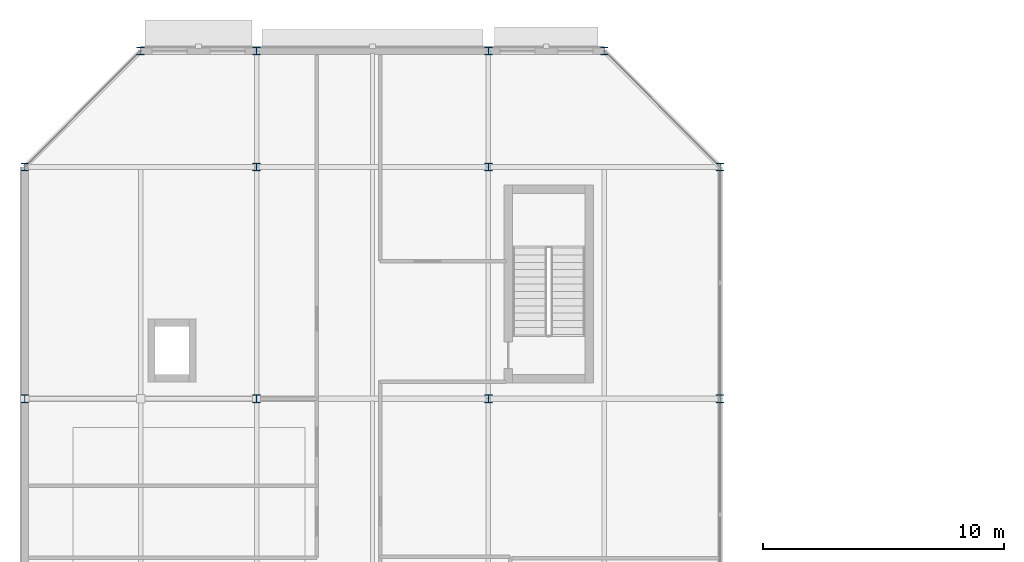
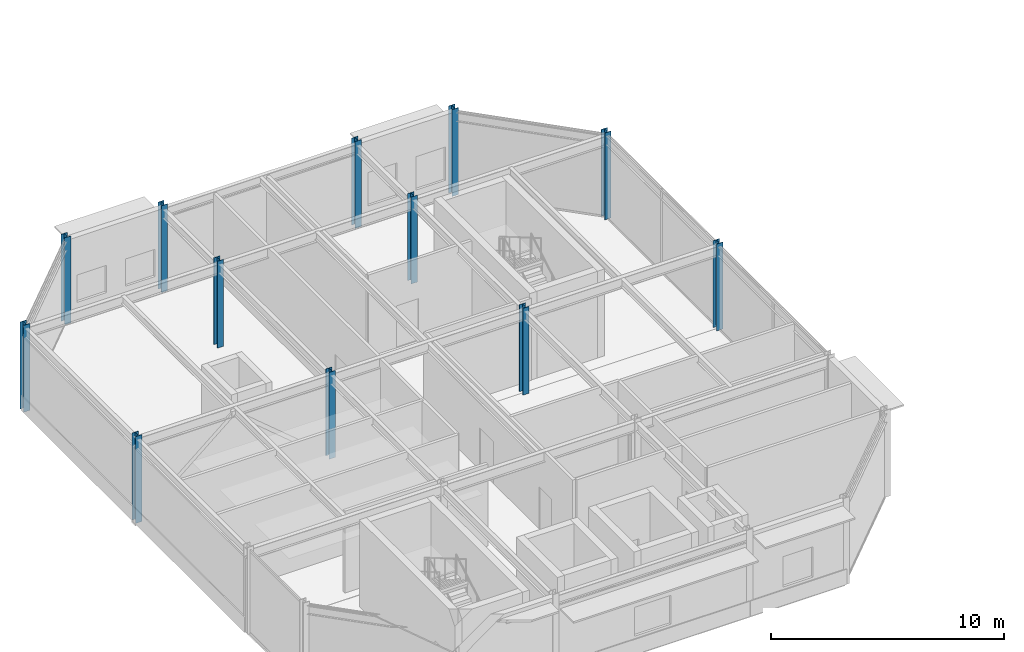
# One storey, part 7 of 89: 12 columns.
"""IFC4 building model written with IfcOpenShell, lengths in metres."""

from ifc_helpers import new_model, si_unit, direction, frame, origin, origin_2d, place, context, subcontext, project, spatial, i_section, extrude, material, material_profile, profile_set, type_object, element, save


model = new_model("IFC4")

# Units and contexts
model_context = context("Model", 3, precision=1e-05, world=origin(), true_north=direction((0.0, 1.0)))
body_context = subcontext(model_context, "Body", "Model", "MODEL_VIEW")
ifc_project = project(units=[si_unit("LENGTHUNIT", "METRE"), si_unit("AREAUNIT", "SQUARE_METRE"), si_unit("VOLUMEUNIT", "CUBIC_METRE"), si_unit("PLANEANGLEUNIT", "RADIAN"), si_unit("MASSUNIT", "GRAM", prefix="KILO")], contexts=[model_context])

# Site, building, storey
site_placement = place(None, origin())
site = spatial("IfcSite", under=ifc_project, at=site_placement, CompositionType="ELEMENT")
building_placement = place(site_placement, origin())
building = spatial("IfcBuilding", under=site, at=building_placement, Name="Almandine Court Research Institute", CompositionType="ELEMENT")
storey_placement = place(building_placement, frame((0.0, 0.0, 18.89990234375)))
storey = spatial("IfcBuildingStorey", under=building, at=storey_placement, Name="L04", CompositionType="ELEMENT", Elevation=18.89990234375)

# Columns
ifc_material = material(Name="Steel ASTM A992 Grade 50", Category="steel")
ifc_material_profile_1 = material_profile(ifc_material, i_section(OverallWidth=0.30810546875, OverallDepth=0.318115234375, WebThickness=0.012939453125, FlangeThickness=0.02099609375, at=origin_2d()), Name="W310x129")
ifc_profile_set_1 = profile_set([ifc_material_profile_1], Name="Steel ASTM A992 Grade 50")
column_type_1 = type_object("IfcColumnType", Name="Col-C-W07", PredefinedType="COLUMN", material=ifc_profile_set_1)
for number, where, z_axis, x_axis, name in (
    (1, (15.60009765625, 103.199951171875, 0.0), (0.0, 0.0, 1.0), (1.0, 0.0, 0.0), "L04 V3 Column V3-X2Y3"),
    (2, (15.60009765625, 112.800048828125, 0.0), (0.0, 0.0, 1.0), (1.0, 0.0, 0.0), "L04 V3 Column V3-X2Y4"),
    (3, (25.199951171875, 103.199951171875, 0.0), (0.0, 0.0, 1.0), (1.0, 0.0, 0.0), "L04 V3 Column V3-X3Y3"),
    (4, (25.199951171875, 112.800048828125, 0.0), (0.0, 0.0, 1.0), (1.0, 0.0, 0.0), "L04 V3 Column V3-X3Y4"),
):
    element("IfcColumn", number, at=place(storey_placement, frame(where, z_axis=z_axis, x_axis=x_axis)), inside=storey, type_object=column_type_1, Name=name, PredefinedType="COLUMN", context=body_context, shape_type="SweptSolid", body=[
        extrude(i_section(OverallWidth=0.30810546875, OverallDepth=0.318115234375, WebThickness=0.012939453125, FlangeThickness=0.02099609375, at=origin_2d()), origin(), (0.0, 0.0, 1.0), 4.550048828125),
    ])
ifc_material_profile_2 = material_profile(ifc_material, i_section(OverallWidth=0.30810546875, OverallDepth=0.318115234375, WebThickness=0.012939453125, FlangeThickness=0.02099609375, at=origin_2d()), Name="W310x129")
ifc_profile_set_2 = profile_set([ifc_material_profile_2], Name="Steel ASTM A992 Grade 50")
column_type_2 = type_object("IfcColumnType", Name="Col-C-W07-E", PredefinedType="COLUMN", material=ifc_profile_set_2)
for number, where, z_axis, x_axis, name in (
    (5, (6.0, 103.199951171875, 0.0), (0.0, 0.0, 1.0), (1.0, 0.0, 0.0), "L04 V3 Column V3-X1Y3"),
    (6, (6.0, 112.800048828125, 0.0), (0.0, 0.0, 1.0), (1.0, 0.0, 0.0), "L04 V3 Column V3-X1Y4"),
    (7, (15.60009765625, 117.60009765625, 0.0), (0.0, 0.0, 1.0), (1.0, 0.0, 0.0), "L04 V3 Column V3-X2Y5"),
    (8, (25.199951171875, 117.60009765625, 0.0), (0.0, 0.0, 1.0), (1.0, 0.0, 0.0), "L04 V3 Column V3-X3Y5"),
    (9, (34.800048828125, 103.199951171875, 0.0), (0.0, 0.0, 1.0), (1.0, 0.0, 0.0), "L04 V3 Column V3-X4Y3"),
    (10, (34.800048828125, 112.800048828125, 0.0), (0.0, 0.0, 1.0), (1.0, 0.0, 0.0), "L04 V3 Column V3-X4Y4"),
    (11, (30.0, 117.60009765625, 0.0), (0.0, 0.0, 1.0), (1.0, 0.0, 0.0), "L04 V3 Column V3-CH5"),
    (12, (10.800048828125, 117.60009765625, 0.0), (0.0, 0.0, 1.0), (1.0, 0.0, 0.0), "L04 V3 Column V3-CH6"),
):
    element("IfcColumn", number, at=place(storey_placement, frame(where, z_axis=z_axis, x_axis=x_axis)), inside=storey, type_object=column_type_2, Name=name, PredefinedType="COLUMN", context=body_context, shape_type="SweptSolid", body=[
        extrude(i_section(OverallWidth=0.30810546875, OverallDepth=0.318115234375, WebThickness=0.012939453125, FlangeThickness=0.02099609375, at=origin_2d()), origin(), (0.0, 0.0, 1.0), 4.550048828125),
    ])

save(model, "model.ifc")
